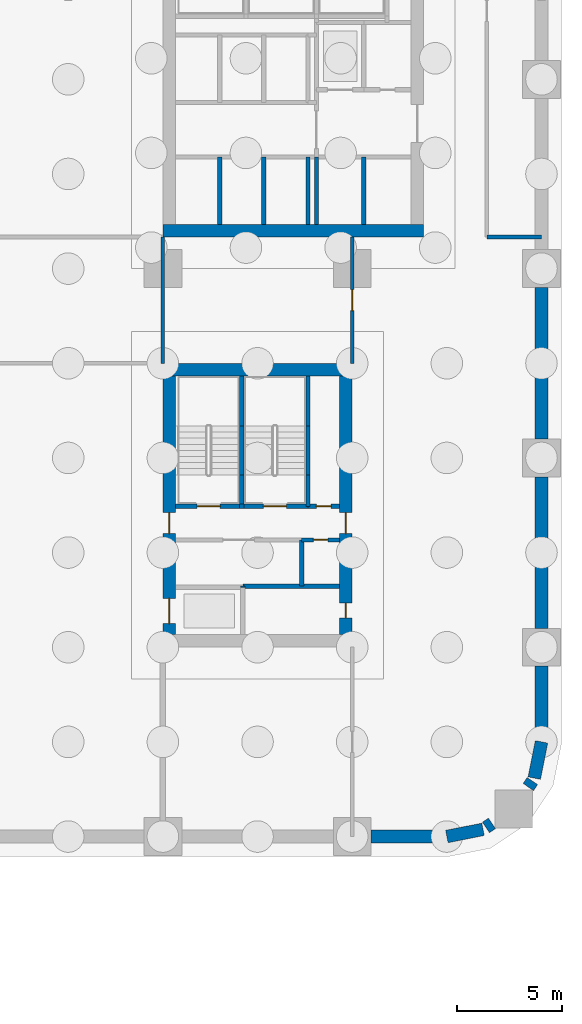
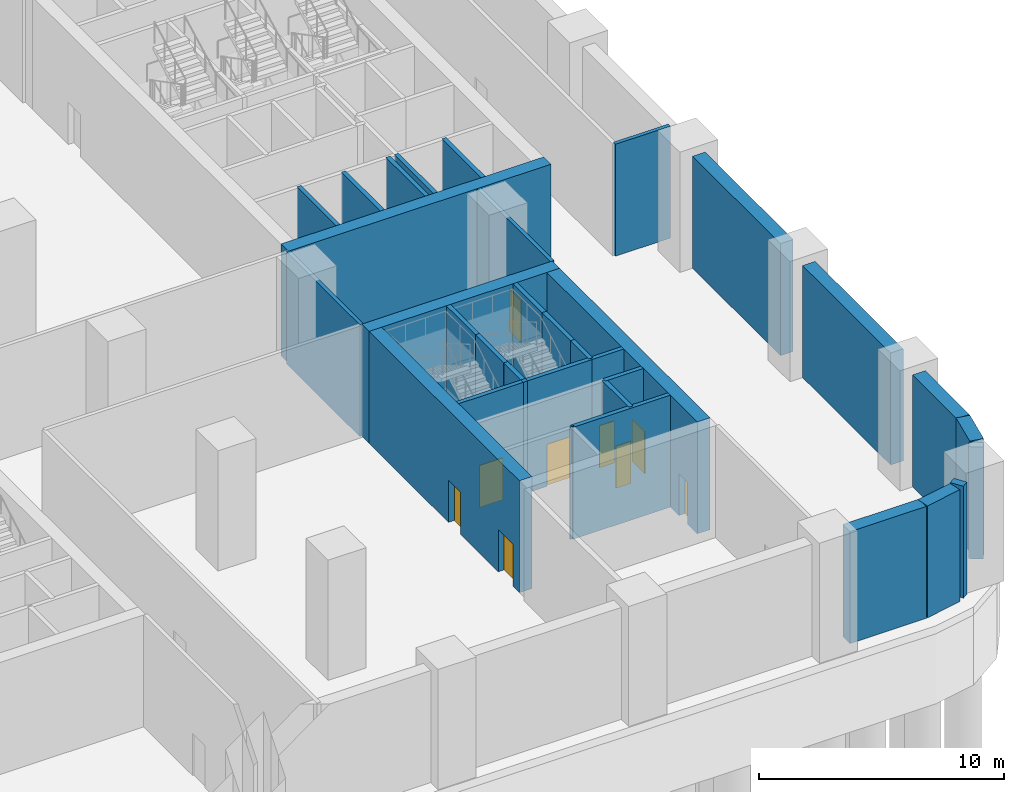
# One storey, part 9 of 26: 34 walls, 9 doors, 9 openings.
"""IFC4 building model written with IfcOpenShell, lengths in metres."""

from ifc_helpers import new_model, si_unit, direction, frame, frame_2d, origin, place, context, subcontext, project, spatial, rectangle, extrude, material, layer, layer_set, type_object, element, fill, save


model = new_model("IFC4")

# Units and contexts
model_context = context("Model", 3, precision=1e-05, world=origin(), true_north=direction((0.0, 1.0)))
body_context = subcontext(model_context, "Body", "Model", "MODEL_VIEW")
ifc_project = project(units=[si_unit("LENGTHUNIT", "METRE"), si_unit("AREAUNIT", "SQUARE_METRE"), si_unit("VOLUMEUNIT", "CUBIC_METRE"), si_unit("PLANEANGLEUNIT", "RADIAN"), si_unit("MASSUNIT", "GRAM", prefix="KILO")], contexts=[model_context])

# Site, building, storey
site_placement = place(None, origin())
site = spatial("IfcSite", under=ifc_project, at=site_placement, CompositionType="ELEMENT")
building_placement = place(site_placement, origin())
building = spatial("IfcBuilding", under=site, at=building_placement, Name="Tessera Arch", CompositionType="ELEMENT")
storey_placement = place(building_placement, frame((0.0, 0.0, -6.0)))
storey = spatial("IfcBuildingStorey", under=building, at=storey_placement, Name="B1", CompositionType="ELEMENT", Elevation=-6.0)

# Walls
ifc_material_1 = material(Name="Concrete C50/60", Category="concrete")
ifc_layer_1 = layer(ifc_material_1, 0.60009765625)
ifc_layer_set_1 = layer_set([ifc_layer_1], Name="Basement wall 600 Concrete C50/60")
wall_type_1 = type_object("IfcWallType", Name="Basement wall 600 Concrete C50/60", PredefinedType="SOLIDWALL", material=ifc_layer_set_1)
wall_1_placement = place(storey_placement, frame((54.0, 4.5, 0.0), z_axis=(0.0, 0.0, 1.0), x_axis=(0.0, 1.0, 0.0)))
element("IfcWall", 1, at=wall_1_placement, inside=storey, type_object=wall_type_1, Name="Basement wall B1 1", PredefinedType="SOLIDWALL", context=body_context, shape_type="SweptSolid", body=[
    extrude(rectangle(XDim=3.60009765625, YDim=0.60009765625, at=frame_2d((1.800048828125, 0.0))), origin(), (0.0, 0.0, 1.0), 5.590087890625),
])
for number, where, z_axis, x_axis, name in (
    (2, (54.0, 9.89990234375, 0.0), (0.0, 0.0, 1.0), (0.0, 1.0, 0.0), "Basement wall B1 2"),
    (3, (54.0, 18.89990234375, 0.0), (0.0, 0.0, 1.0), (0.0, 1.0, 0.0), "Basement wall B1 3"),
):
    element("IfcWall", number, at=place(storey_placement, frame(where, z_axis=z_axis, x_axis=x_axis)), inside=storey, type_object=wall_type_1, Name=name, PredefinedType="SOLIDWALL", context=body_context, shape_type="SweptSolid", body=[
        extrude(rectangle(XDim=7.2001953125, YDim=0.60009765625, at=frame_2d((3.60009765625, 0.0))), origin(), (0.0, 0.0, 1.0), 5.590087890625),
    ])
wall_2_placement = place(storey_placement, frame((45.89990234375, 0.0, 0.0), z_axis=(0.0, 0.0, 1.0), x_axis=(1.0, 0.0, 0.0)))
element("IfcWall", 4, at=wall_2_placement, inside=storey, type_object=wall_type_1, Name="Basement wall B1 36", PredefinedType="SOLIDWALL", context=body_context, shape_type="SweptSolid", body=[
    extrude(rectangle(XDim=3.60009765625, YDim=0.60009765625, at=frame_2d((1.800048828125, 0.0))), origin(), (0.0, 0.0, 1.0), 5.590087890625),
])
wall_3_placement = place(storey_placement, frame((49.5, 0.0, 0.0), z_axis=(0.0, 0.0, 1.0), x_axis=(0.980788681317, 0.195073223687, 0.0)))
element("IfcWall", 5, at=wall_3_placement, inside=storey, type_object=wall_type_1, Name="Basement wall B1 37", PredefinedType="SOLIDWALL", context=body_context, shape_type="SweptSolid", body=[
    extrude(rectangle(XDim=1.755859375, YDim=0.60009765625, at=frame_2d((0.8779296875, 0.0))), origin(), (0.0, 0.0, 1.0), 5.590087890625),
])
for number, where, z_axis, x_axis, name in (
    (6, (51.360107421875, 0.434814453125, 0.0), (0.0, 0.0, 1.0), (0.831499915197, 0.555524878855, 0.0), "Basement wall B1 38"),
    (7, (53.37548828125, 2.35595703125, 0.0), (0.0, 0.0, 1.0), (0.555524878855, 0.831499915197, 0.0), "Basement wall B1 39"),
):
    element("IfcWall", number, at=place(storey_placement, frame(where, z_axis=z_axis, x_axis=x_axis)), inside=storey, type_object=wall_type_1, Name=name, PredefinedType="SOLIDWALL", context=body_context, shape_type="SweptSolid", body=[
        extrude(rectangle(XDim=0.341552734375, YDim=0.60009765625, at=frame_2d((0.1708984375, 0.0))), origin(), (0.0, 0.0, 1.0), 5.590087890625),
    ])
wall_4_placement = place(storey_placement, frame((53.657470703125, 2.77783203125, 0.0), z_axis=(0.0, 0.0, 1.0), x_axis=(0.195073223687, 0.980788681317, 0.0)))
element("IfcWall", 8, at=wall_4_placement, inside=storey, type_object=wall_type_1, Name="Basement wall B1 40", PredefinedType="SOLIDWALL", context=body_context, shape_type="SweptSolid", body=[
    extrude(rectangle(XDim=1.755859375, YDim=0.60009765625, at=frame_2d((0.8779296875, 0.0))), origin(), (0.0, 0.0, 1.0), 5.590087890625),
])
ifc_material_2 = material(Name="Concrete C70/85", Category="concrete")
ifc_layer_2 = layer(ifc_material_2, 0.60009765625)
ifc_layer_set_2 = layer_set([ifc_layer_2], Name="Core shell wall 600 C70-85")
wall_type_2 = type_object("IfcWallType", Name="Core shell wall 600 C70-85", PredefinedType="SHEAR", material=ifc_layer_set_2)
wall_5_placement = place(storey_placement, frame((36.0, 28.800048828125, 0.0), z_axis=(0.0, 0.0, 1.0), x_axis=(1.0, 0.0, 0.0)))
element("IfcWall", 9, at=wall_5_placement, inside=storey, type_object=wall_type_2, Name="B1 C1 core wall S", PredefinedType="SHEAR", context=body_context, shape_type="SweptSolid", body=[
    extrude(rectangle(XDim=12.39990234375, YDim=0.60009765625, at=frame_2d((6.199951171875, 0.0))), origin(), (0.0, 0.0, 1.0), 5.590087890625),
])
wall_6_placement = place(storey_placement, frame((36.0, 22.199951171875, 0.0), z_axis=(0.0, 0.0, 1.0), x_axis=(1.0, 0.0, 0.0)))
element("IfcWall", 10, at=wall_6_placement, inside=storey, type_object=wall_type_2, Name="B1 C3 core wall N", PredefinedType="SHEAR", context=body_context, shape_type="SweptSolid", body=[
    extrude(rectangle(XDim=9.0, YDim=0.60009765625, at=frame_2d((4.5, 0.0))), origin(), (0.0, 0.0, 1.0), 5.590087890625),
])

# Wall, openings, doors
wall_7_placement = place(storey_placement, frame((36.300048828125, 9.60009765625, 0.0), z_axis=(0.0, 0.0, 1.0), x_axis=(0.0, 1.0, 0.0)))
wall_7 = element("IfcWall", 11, at=wall_7_placement, inside=storey, type_object=wall_type_2, Name="B1 C3 core wall W", PredefinedType="SHEAR", context=body_context, shape_type="SweptSolid", body=[
    extrude(rectangle(XDim=12.2998046875, YDim=0.60009765625, at=frame_2d((6.14990234375, 0.0))), origin(), (0.0, 0.0, 1.0), 5.590087890625),
])
opening_1_placement = place(wall_7_placement, frame((0.52490234375, 0.0, 0.0)))
opening_1 = element("IfcOpeningElement", 12, at=opening_1_placement, cuts=wall_7, Name="Opening B1-C25", PredefinedType="OPENING", context=body_context, shape_type="SweptSolid", body=[
    extrude(rectangle(XDim=1.199951171875, YDim=2.10009765625, at=frame_2d((0.60009765625, 1.050048828125))), frame((0.0, 0.31005859375, 0.0), z_axis=(0.0, -1.0, 0.0), x_axis=(1.0, 0.0, 0.0)), (0.0, 0.0, 1.0), 0.6201171875),
])
opening_2_placement = place(wall_7_placement, frame((4.800048828125, 0.0, 0.0)))
opening_2 = element("IfcOpeningElement", 13, at=opening_2_placement, cuts=wall_7, Name="Opening B1-C32", PredefinedType="OPENING", context=body_context, shape_type="SweptSolid", body=[
    extrude(rectangle(XDim=1.0, YDim=2.10009765625, at=frame_2d((0.5, 1.050048828125))), frame((0.0, 0.31005859375, 0.0), z_axis=(0.0, -1.0, 0.0), x_axis=(1.0, 0.0, 0.0)), (0.0, 0.0, 1.0), 0.6201171875),
])
ifc_material_3 = material(Name="Steel door leaf", Category="steel")
door_type_1 = type_object("IfcDoorType", Name="Corridor door FD60 1000 x 2100", OperationType="SINGLE_SWING_LEFT", PredefinedType="DOOR", material=ifc_material_3)
door_1_placement = place(opening_2_placement, origin())
door_1 = element("IfcDoor", 14, at=door_1_placement, inside=storey, type_object=door_type_1, Name="B1 C3 door 8 C32 type D12", OperationType="SINGLE_SWING_LEFT", OverallHeight=2.10009765625, OverallWidth=1.0, PredefinedType="DOOR", context=body_context, shape_type="SweptSolid", body=[
    extrude(rectangle(XDim=1.0, YDim=2.10009765625, at=frame_2d((0.5, 1.050048828125))), frame((0.0, 0.02490234375, 0.0), z_axis=(0.0, -1.0, 0.0), x_axis=(1.0, 0.0, 0.0)), (0.0, 0.0, 1.0), 0.050048828125),
])
fill(opening_2, door_1)
ifc_material_4 = material(Name="Stainless steel AISI 304", Category="steel")
door_type_2 = type_object("IfcDoorType", Name="Sliding landing door 1200 x 2100", OperationType="SLIDING_TO_LEFT", PredefinedType="DOOR", material=ifc_material_4)
door_2_placement = place(opening_1_placement, origin())
door_2 = element("IfcDoor", 15, at=door_2_placement, inside=storey, type_object=door_type_2, Name="B1 SV1 lift landing door C25 type LD", OperationType="SLIDING_TO_LEFT", OverallHeight=2.10009765625, OverallWidth=1.199951171875, PredefinedType="DOOR", context=body_context, shape_type="SweptSolid", body=[
    extrude(rectangle(XDim=1.199951171875, YDim=2.10009765625, at=frame_2d((0.60009765625, 1.050048828125))), frame((0.0, 0.02490234375, 0.0), z_axis=(0.0, -1.0, 0.0), x_axis=(1.0, 0.0, 0.0)), (0.0, 0.0, 1.0), 0.050048828125),
])
fill(opening_1, door_2)

wall_8_placement = place(storey_placement, frame((44.699951171875, 9.60009765625, 0.0), z_axis=(0.0, 0.0, 1.0), x_axis=(0.0, 1.0, 0.0)))
wall_8 = element("IfcWall", 16, at=wall_8_placement, inside=storey, type_object=wall_type_2, Name="B1 C3 core wall E", PredefinedType="SHEAR", context=body_context, shape_type="SweptSolid", body=[
    extrude(rectangle(XDim=12.2998046875, YDim=0.60009765625, at=frame_2d((6.14990234375, 0.0))), origin(), (0.0, 0.0, 1.0), 5.590087890625),
])
opening_3_placement = place(wall_8_placement, frame((0.800048828125, 0.0, 0.0)))
opening_3 = element("IfcOpeningElement", 17, at=opening_3_placement, cuts=wall_8, Name="Opening B1-C30", PredefinedType="OPENING", context=body_context, shape_type="SweptSolid", body=[
    extrude(rectangle(XDim=0.699951171875, YDim=2.10009765625, at=frame_2d((0.35009765625, 1.050048828125))), frame((0.0, 0.31005859375, 0.0), z_axis=(0.0, -1.0, 0.0), x_axis=(1.0, 0.0, 0.0)), (0.0, 0.0, 1.0), 0.6201171875),
])
opening_4_placement = place(wall_8_placement, frame((4.800048828125, 0.0, 0.0)))
opening_4 = element("IfcOpeningElement", 18, at=opening_4_placement, cuts=wall_8, Name="Opening B1-C31", PredefinedType="OPENING", context=body_context, shape_type="SweptSolid", body=[
    extrude(rectangle(XDim=1.0, YDim=2.10009765625, at=frame_2d((0.5, 1.050048828125))), frame((0.0, 0.31005859375, 0.0), z_axis=(0.0, -1.0, 0.0), x_axis=(1.0, 0.0, 0.0)), (0.0, 0.0, 1.0), 0.6201171875),
])
door_3_placement = place(opening_4_placement, origin())
door_3 = element("IfcDoor", 19, at=door_3_placement, inside=storey, type_object=door_type_1, Name="B1 C3 door 7 C31 type D12", OperationType="SINGLE_SWING_LEFT", OverallHeight=2.10009765625, OverallWidth=1.0, PredefinedType="DOOR", context=body_context, shape_type="SweptSolid", body=[
    extrude(rectangle(XDim=1.0, YDim=2.10009765625, at=frame_2d((0.5, 1.050048828125))), frame((0.0, 0.02490234375, 0.0), z_axis=(0.0, -1.0, 0.0), x_axis=(1.0, 0.0, 0.0)), (0.0, 0.0, 1.0), 0.050048828125),
])
fill(opening_4, door_3)
ifc_material_5 = material(Name="Steel door leaf", Category="steel")
door_type_3 = type_object("IfcDoorType", Name="Service shaft door FD60 700 x 2100", OperationType="SINGLE_SWING_LEFT", PredefinedType="DOOR", material=ifc_material_5)
door_4_placement = place(opening_3_placement, origin())
door_4 = element("IfcDoor", 20, at=door_4_placement, inside=storey, type_object=door_type_3, Name="B1 C3 door 6 C30 type D07", OperationType="SINGLE_SWING_LEFT", OverallHeight=2.10009765625, OverallWidth=0.699951171875, PredefinedType="DOOR", context=body_context, shape_type="SweptSolid", body=[
    extrude(rectangle(XDim=0.699951171875, YDim=2.10009765625, at=frame_2d((0.35009765625, 1.050048828125))), frame((0.0, 0.02490234375, 0.0), z_axis=(0.0, -1.0, 0.0), x_axis=(1.0, 0.0, 0.0)), (0.0, 0.0, 1.0), 0.050048828125),
])
fill(opening_3, door_4)

# Walls
ifc_material_6 = material(Name="Gypsum board on deep steel stud with mineral wool", Category="steel")
ifc_layer_3 = layer(ifc_material_6, 0.175048828125)
ifc_layer_set_3 = layer_set([ifc_layer_3], Name="Corridor wall 175 EI 60")
wall_type_3 = type_object("IfcWallType", Name="Corridor wall 175 EI 60", PredefinedType="PARTITIONING", material=ifc_layer_set_3)
wall_9_placement = place(storey_placement, frame((51.39990234375, 28.5, 0.0), z_axis=(0.0, 0.0, 1.0), x_axis=(1.0, 0.0, 0.0)))
element("IfcWall", 21, at=wall_9_placement, inside=storey, type_object=wall_type_3, Name="B1 partition 6", PredefinedType="PARTITIONING", context=body_context, shape_type="SweptSolid", body=[
    extrude(rectangle(XDim=2.60009765625, YDim=0.175048828125, at=frame_2d((1.300048828125, 0.0))), origin(), (0.0, 0.0, 1.0), 5.590087890625),
])
wall_10_placement = place(storey_placement, frame((36.0, 22.5, 0.0), z_axis=(0.0, 0.0, 1.0), x_axis=(0.0, 1.0, 0.0)))
element("IfcWall", 22, at=wall_10_placement, inside=storey, type_object=wall_type_3, Name="B1 partition 22", PredefinedType="PARTITIONING", context=body_context, shape_type="SweptSolid", body=[
    extrude(rectangle(XDim=6.0, YDim=0.175048828125, at=frame_2d((3.0, 0.0))), origin(), (0.0, 0.0, 1.0), 5.590087890625),
])

# Wall, opening, door
wall_11_placement = place(storey_placement, frame((45.0, 22.5, 0.0), z_axis=(0.0, 0.0, 1.0), x_axis=(0.0, 1.0, 0.0)))
wall_11 = element("IfcWall", 23, at=wall_11_placement, inside=storey, type_object=wall_type_3, Name="B1 partition 24", PredefinedType="PARTITIONING", context=body_context, shape_type="SweptSolid", body=[
    extrude(rectangle(XDim=6.0, YDim=0.175048828125, at=frame_2d((3.0, 0.0))), origin(), (0.0, 0.0, 1.0), 5.590087890625),
])
opening_5_placement = place(wall_11_placement, frame((2.5, 0.0, 0.0)))
opening_5 = element("IfcOpeningElement", 24, at=opening_5_placement, cuts=wall_11, Name="Opening B1-D006", PredefinedType="OPENING", context=body_context, shape_type="SweptSolid", body=[
    extrude(rectangle(XDim=1.0, YDim=2.10009765625, at=frame_2d((0.5, 1.050048828125))), frame((0.0, 0.097412109375, 0.0), z_axis=(0.0, -1.0, 0.0), x_axis=(1.0, 0.0, 0.0)), (0.0, 0.0, 1.0), 0.195068359375),
])
ifc_material_7 = material(Name="Fire-rated door leaf")
door_type_4 = type_object("IfcDoorType", Name="Entrance door FD60 1000 x 2100", OperationType="SINGLE_SWING_LEFT", PredefinedType="DOOR", material=ifc_material_7)
door_5_placement = place(opening_5_placement, origin())
door_5 = element("IfcDoor", 25, at=door_5_placement, inside=storey, type_object=door_type_4, Name="B1 door D006 type D16", OperationType="SINGLE_SWING_RIGHT", OverallHeight=2.10009765625, OverallWidth=1.0, PredefinedType="DOOR", context=body_context, shape_type="SweptSolid", body=[
    extrude(rectangle(XDim=1.0, YDim=2.10009765625, at=frame_2d((0.5, 1.050048828125))), frame((0.0, 0.02490234375, 0.0), z_axis=(0.0, -1.0, 0.0), x_axis=(1.0, 0.0, 0.0)), (0.0, 0.0, 1.0), 0.050048828125),
])
fill(opening_5, door_5)

# Walls
ifc_material_8 = material(Name="Concrete C40/50", Category="concrete")
ifc_layer_4 = layer(ifc_material_8, 0.199951171875)
ifc_layer_set_4 = layer_set([ifc_layer_4], Name="Lift shaft wall 200 REI 180")
wall_type_4 = type_object("IfcWallType", Name="Lift shaft wall 200 REI 180", PredefinedType="SOLIDWALL", material=ifc_layer_set_4)
for number, where, z_axis, x_axis, name in (
    (26, (38.699951171875, 29.10009765625, 0.0), (0.0, 0.0, 1.0), (0.0, 1.0, 0.0), "B1 C1 shaft wall 1"),
    (27, (40.800048828125, 29.10009765625, 0.0), (0.0, 0.0, 1.0), (0.0, 1.0, 0.0), "B1 C1 shaft wall 7"),
    (28, (42.89990234375, 29.10009765625, 0.0), (0.0, 0.0, 1.0), (0.0, 1.0, 0.0), "B1 C1 shaft wall 9"),
    (29, (43.300048828125, 29.10009765625, 0.0), (0.0, 0.0, 1.0), (0.0, 1.0, 0.0), "B1 C1 shaft wall 11"),
    (30, (45.550048828125, 29.10009765625, 0.0), (0.0, 0.0, 1.0), (0.0, 1.0, 0.0), "B1 C1 shaft wall 19"),
):
    element("IfcWall", number, at=place(storey_placement, frame(where, z_axis=z_axis, x_axis=x_axis)), inside=storey, type_object=wall_type_4, Name=name, PredefinedType="SOLIDWALL", context=body_context, shape_type="SweptSolid", body=[
        extrude(rectangle(XDim=3.199951171875, YDim=0.199951171875, at=frame_2d((1.60009765625, 0.0))), origin(), (0.0, 0.0, 1.0), 5.590087890625),
    ])
ifc_material_9 = material(Name="Concrete C40/50", Category="concrete")
ifc_layer_5 = layer(ifc_material_9, 0.199951171875)
ifc_layer_set_5 = layer_set([ifc_layer_5], Name="Shaft wall 200 EI 120")
wall_type_5 = type_object("IfcWallType", Name="Shaft wall 200 EI 120", PredefinedType="SOLIDWALL", material=ifc_layer_set_5)
wall_12_placement = place(storey_placement, frame((39.800048828125, 11.85009765625, 0.0), z_axis=(0.0, 0.0, 1.0), x_axis=(0.0, 1.0, 0.0)))
element("IfcWall", 31, at=wall_12_placement, inside=storey, type_object=wall_type_5, Name="B1 C3 shaft wall 5", PredefinedType="SOLIDWALL", context=body_context, shape_type="SweptSolid", body=[
    extrude(rectangle(XDim=0.0498046875, YDim=0.199951171875, at=frame_2d((0.02490234375, 0.0))), origin(), (0.0, 0.0, 1.0), 5.590087890625),
])
wall_13_placement = place(storey_placement, frame((42.60009765625, 11.89990234375, 0.0), z_axis=(0.0, 0.0, 1.0), x_axis=(0.0, 1.0, 0.0)))
element("IfcWall", 32, at=wall_13_placement, inside=storey, type_object=wall_type_5, Name="B1 C3 shaft wall 6", PredefinedType="SOLIDWALL", context=body_context, shape_type="SweptSolid", body=[
    extrude(rectangle(XDim=2.2001953125, YDim=0.199951171875, at=frame_2d((1.10009765625, 0.0))), origin(), (0.0, 0.0, 1.0), 5.590087890625),
])
wall_14_placement = place(storey_placement, frame((39.800048828125, 11.89990234375, 0.0), z_axis=(0.0, 0.0, 1.0), x_axis=(1.0, 0.0, 0.0)))
element("IfcWall", 33, at=wall_14_placement, inside=storey, type_object=wall_type_5, Name="B1 C3 shaft wall 11", PredefinedType="SOLIDWALL", context=body_context, shape_type="SweptSolid", body=[
    extrude(rectangle(XDim=4.599853515625, YDim=0.199951171875, at=frame_2d((2.2998046875, 0.0))), origin(), (0.0, 0.0, 1.0), 5.590087890625),
])

# Wall, opening, door
wall_15_placement = place(storey_placement, frame((42.60009765625, 14.10009765625, 0.0), z_axis=(0.0, 0.0, 1.0), x_axis=(1.0, 0.0, 0.0)))
wall_15 = element("IfcWall", 34, at=wall_15_placement, inside=storey, type_object=wall_type_5, Name="B1 C3 shaft wall 13", PredefinedType="SOLIDWALL", context=body_context, shape_type="SweptSolid", body=[
    extrude(rectangle(XDim=1.7998046875, YDim=0.199951171875, at=frame_2d((0.89990234375, 0.0))), origin(), (0.0, 0.0, 1.0), 5.590087890625),
])
opening_6_placement = place(wall_15_placement, frame((0.550048828125, 0.0, 0.0)))
opening_6 = element("IfcOpeningElement", 35, at=opening_6_placement, cuts=wall_15, Name="Opening B1-C29", PredefinedType="OPENING", context=body_context, shape_type="SweptSolid", body=[
    extrude(rectangle(XDim=0.699951171875, YDim=2.10009765625, at=frame_2d((0.35009765625, 1.050048828125))), frame((0.0, 0.10986328125, 0.0), z_axis=(0.0, -1.0, 0.0), x_axis=(1.0, 0.0, 0.0)), (0.0, 0.0, 1.0), 0.219970703125),
])
door_6_placement = place(opening_6_placement, origin())
door_6 = element("IfcDoor", 36, at=door_6_placement, inside=storey, type_object=door_type_3, Name="B1 C3 door 5 C29 type D07", OperationType="SINGLE_SWING_RIGHT", OverallHeight=2.10009765625, OverallWidth=0.699951171875, PredefinedType="DOOR", context=body_context, shape_type="SweptSolid", body=[
    extrude(rectangle(XDim=0.699951171875, YDim=2.10009765625, at=frame_2d((0.35009765625, 1.050048828125))), frame((0.0, 0.02490234375, 0.0), z_axis=(0.0, -1.0, 0.0), x_axis=(1.0, 0.0, 0.0)), (0.0, 0.0, 1.0), 0.050048828125),
])
fill(opening_6, door_6)

wall_16_placement = place(storey_placement, frame((42.89990234375, 15.699951171875, 0.0), z_axis=(0.0, 0.0, 1.0), x_axis=(1.0, 0.0, 0.0)))
wall_16 = element("IfcWall", 37, at=wall_16_placement, inside=storey, type_object=wall_type_5, Name="B1 C3 shaft wall 14", PredefinedType="SOLIDWALL", context=body_context, shape_type="SweptSolid", body=[
    extrude(rectangle(XDim=1.5, YDim=0.199951171875, at=frame_2d((0.75, 0.0))), origin(), (0.0, 0.0, 1.0), 5.590087890625),
])
opening_7_placement = place(wall_16_placement, frame((0.39990234375, 0.0, 0.0)))
opening_7 = element("IfcOpeningElement", 38, at=opening_7_placement, cuts=wall_16, Name="Opening B1-C28", PredefinedType="OPENING", context=body_context, shape_type="SweptSolid", body=[
    extrude(rectangle(XDim=0.699951171875, YDim=2.10009765625, at=frame_2d((0.35009765625, 1.050048828125))), frame((0.0, 0.10986328125, 0.0), z_axis=(0.0, -1.0, 0.0), x_axis=(1.0, 0.0, 0.0)), (0.0, 0.0, 1.0), 0.219970703125),
])
door_7_placement = place(opening_7_placement, origin())
door_7 = element("IfcDoor", 39, at=door_7_placement, inside=storey, type_object=door_type_3, Name="B1 C3 door 4 C28 type D07", OperationType="SINGLE_SWING_LEFT", OverallHeight=2.10009765625, OverallWidth=0.699951171875, PredefinedType="DOOR", context=body_context, shape_type="SweptSolid", body=[
    extrude(rectangle(XDim=0.699951171875, YDim=2.10009765625, at=frame_2d((0.35009765625, 1.050048828125))), frame((0.0, 0.02490234375, 0.0), z_axis=(0.0, -1.0, 0.0), x_axis=(1.0, 0.0, 0.0)), (0.0, 0.0, 1.0), 0.050048828125),
])
fill(opening_7, door_7)

# Walls
ifc_material_10 = material(Name="Concrete C40/50", Category="concrete")
ifc_layer_6 = layer(ifc_material_10, 0.199951171875)
ifc_layer_set_6 = layer_set([ifc_layer_6], Name="Stair well wall 200 REI 180")
wall_type_6 = type_object("IfcWallType", Name="Stair well wall 200 REI 180", PredefinedType="SOLIDWALL", material=ifc_layer_set_6)
wall_17_placement = place(storey_placement, frame((39.75, 15.699951171875, 0.0), z_axis=(0.0, 0.0, 1.0), x_axis=(0.0, 1.0, 0.0)))
element("IfcWall", 40, at=wall_17_placement, inside=storey, type_object=wall_type_6, Name="B1 C3 shaft wall 1", PredefinedType="SOLIDWALL", context=body_context, shape_type="SweptSolid", body=[
    extrude(rectangle(XDim=1.5, YDim=0.199951171875, at=frame_2d((0.75, 0.0))), origin(), (0.0, 0.0, 1.0), 5.590087890625),
])
wall_18_placement = place(storey_placement, frame((39.75, 17.199951171875, 0.0), z_axis=(0.0, 0.0, 1.0), x_axis=(0.0, 1.0, 0.0)))
element("IfcWall", 41, at=wall_18_placement, inside=storey, type_object=wall_type_6, Name="B1 C3 shaft wall 2", PredefinedType="SOLIDWALL", context=body_context, shape_type="SweptSolid", body=[
    extrude(rectangle(XDim=2.320068359375, YDim=0.199951171875, at=frame_2d((1.16015625, 0.0))), origin(), (0.0, 0.0, 1.0), 5.590087890625),
])
wall_19_placement = place(storey_placement, frame((39.75, 19.52001953125, 0.0), z_axis=(0.0, 0.0, 1.0), x_axis=(0.0, 1.0, 0.0)))
element("IfcWall", 42, at=wall_19_placement, inside=storey, type_object=wall_type_6, Name="B1 C3 shaft wall 3", PredefinedType="SOLIDWALL", context=body_context, shape_type="SweptSolid", body=[
    extrude(rectangle(XDim=2.3798828125, YDim=0.199951171875, at=frame_2d((1.18994140625, 0.0))), origin(), (0.0, 0.0, 1.0), 5.590087890625),
])
wall_20_placement = place(storey_placement, frame((42.89990234375, 15.699951171875, 0.0), z_axis=(0.0, 0.0, 1.0), x_axis=(0.0, 1.0, 0.0)))
element("IfcWall", 43, at=wall_20_placement, inside=storey, type_object=wall_type_6, Name="B1 C3 shaft wall 7", PredefinedType="SOLIDWALL", context=body_context, shape_type="SweptSolid", body=[
    extrude(rectangle(XDim=1.5, YDim=0.199951171875, at=frame_2d((0.75, 0.0))), origin(), (0.0, 0.0, 1.0), 5.590087890625),
])
wall_21_placement = place(storey_placement, frame((42.89990234375, 17.199951171875, 0.0), z_axis=(0.0, 0.0, 1.0), x_axis=(0.0, 1.0, 0.0)))
element("IfcWall", 44, at=wall_21_placement, inside=storey, type_object=wall_type_6, Name="B1 C3 shaft wall 8", PredefinedType="SOLIDWALL", context=body_context, shape_type="SweptSolid", body=[
    extrude(rectangle(XDim=2.320068359375, YDim=0.199951171875, at=frame_2d((1.16015625, 0.0))), origin(), (0.0, 0.0, 1.0), 5.590087890625),
])
wall_22_placement = place(storey_placement, frame((42.89990234375, 19.52001953125, 0.0), z_axis=(0.0, 0.0, 1.0), x_axis=(0.0, 1.0, 0.0)))
element("IfcWall", 45, at=wall_22_placement, inside=storey, type_object=wall_type_6, Name="B1 C3 shaft wall 9", PredefinedType="SOLIDWALL", context=body_context, shape_type="SweptSolid", body=[
    extrude(rectangle(XDim=2.3798828125, YDim=0.199951171875, at=frame_2d((1.18994140625, 0.0))), origin(), (0.0, 0.0, 1.0), 5.590087890625),
])

# Wall, opening, door
wall_23_placement = place(storey_placement, frame((36.60009765625, 15.699951171875, 0.0), z_axis=(0.0, 0.0, 1.0), x_axis=(1.0, 0.0, 0.0)))
wall_23 = element("IfcWall", 46, at=wall_23_placement, inside=storey, type_object=wall_type_6, Name="B1 C3 shaft wall 15", PredefinedType="SOLIDWALL", context=body_context, shape_type="SweptSolid", body=[
    extrude(rectangle(XDim=3.0498046875, YDim=0.199951171875, at=frame_2d((1.52490234375, 0.0))), origin(), (0.0, 0.0, 1.0), 5.590087890625),
])
opening_8_placement = place(wall_23_placement, frame((1.02490234375, 0.0, 0.0)))
opening_8 = element("IfcOpeningElement", 47, at=opening_8_placement, cuts=wall_23, Name="Opening B1-C26", PredefinedType="OPENING", context=body_context, shape_type="SweptSolid", body=[
    extrude(rectangle(XDim=1.10009765625, YDim=2.10009765625, at=frame_2d((0.550048828125, 1.050048828125))), frame((0.0, 0.10986328125, 0.0), z_axis=(0.0, -1.0, 0.0), x_axis=(1.0, 0.0, 0.0)), (0.0, 0.0, 1.0), 0.219970703125),
])
ifc_material_11 = material(Name="Steel door leaf", Category="steel")
door_type_5 = type_object("IfcDoorType", Name="Stair door FD60 1100 x 2100", OperationType="SINGLE_SWING_LEFT", PredefinedType="DOOR", material=ifc_material_11)
door_8_placement = place(opening_8_placement, origin())
door_8 = element("IfcDoor", 48, at=door_8_placement, inside=storey, type_object=door_type_5, Name="B1 C3 door 2 C26 type D05", OperationType="SINGLE_SWING_RIGHT", OverallHeight=2.10009765625, OverallWidth=1.10009765625, PredefinedType="DOOR", context=body_context, shape_type="SweptSolid", body=[
    extrude(rectangle(XDim=1.10009765625, YDim=2.10009765625, at=frame_2d((0.550048828125, 1.050048828125))), frame((0.0, 0.02490234375, 0.0), z_axis=(0.0, -1.0, 0.0), x_axis=(1.0, 0.0, 0.0)), (0.0, 0.0, 1.0), 0.050048828125),
])
fill(opening_8, door_8)

# Wall
wall_24_placement = place(storey_placement, frame((39.64990234375, 15.699951171875, 0.0), z_axis=(0.0, 0.0, 1.0), x_axis=(1.0, 0.0, 0.0)))
element("IfcWall", 49, at=wall_24_placement, inside=storey, type_object=wall_type_6, Name="B1 C3 shaft wall 16", PredefinedType="SOLIDWALL", context=body_context, shape_type="SweptSolid", body=[
    extrude(rectangle(XDim=0.2001953125, YDim=0.199951171875, at=frame_2d((0.10009765625, 0.0))), origin(), (0.0, 0.0, 1.0), 5.590087890625),
])

# Wall, opening, door
wall_25_placement = place(storey_placement, frame((39.85009765625, 15.699951171875, 0.0), z_axis=(0.0, 0.0, 1.0), x_axis=(1.0, 0.0, 0.0)))
wall_25 = element("IfcWall", 50, at=wall_25_placement, inside=storey, type_object=wall_type_6, Name="B1 C3 shaft wall 17", PredefinedType="SOLIDWALL", context=body_context, shape_type="SweptSolid", body=[
    extrude(rectangle(XDim=3.0498046875, YDim=0.199951171875, at=frame_2d((1.52490234375, 0.0))), origin(), (0.0, 0.0, 1.0), 5.590087890625),
])
opening_9_placement = place(wall_25_placement, frame((0.925048828125, 0.0, 0.0)))
opening_9 = element("IfcOpeningElement", 51, at=opening_9_placement, cuts=wall_25, Name="Opening B1-C27", PredefinedType="OPENING", context=body_context, shape_type="SweptSolid", body=[
    extrude(rectangle(XDim=1.10009765625, YDim=2.10009765625, at=frame_2d((0.550048828125, 1.050048828125))), frame((0.0, 0.10986328125, 0.0), z_axis=(0.0, -1.0, 0.0), x_axis=(1.0, 0.0, 0.0)), (0.0, 0.0, 1.0), 0.219970703125),
])
door_9_placement = place(opening_9_placement, origin())
door_9 = element("IfcDoor", 52, at=door_9_placement, inside=storey, type_object=door_type_5, Name="B1 C3 door 3 C27 type D05", OperationType="SINGLE_SWING_LEFT", OverallHeight=2.10009765625, OverallWidth=1.10009765625, PredefinedType="DOOR", context=body_context, shape_type="SweptSolid", body=[
    extrude(rectangle(XDim=1.10009765625, YDim=2.10009765625, at=frame_2d((0.550048828125, 1.050048828125))), frame((0.0, 0.02490234375, 0.0), z_axis=(0.0, -1.0, 0.0), x_axis=(1.0, 0.0, 0.0)), (0.0, 0.0, 1.0), 0.050048828125),
])
fill(opening_9, door_9)

save(model, "model.ifc")
